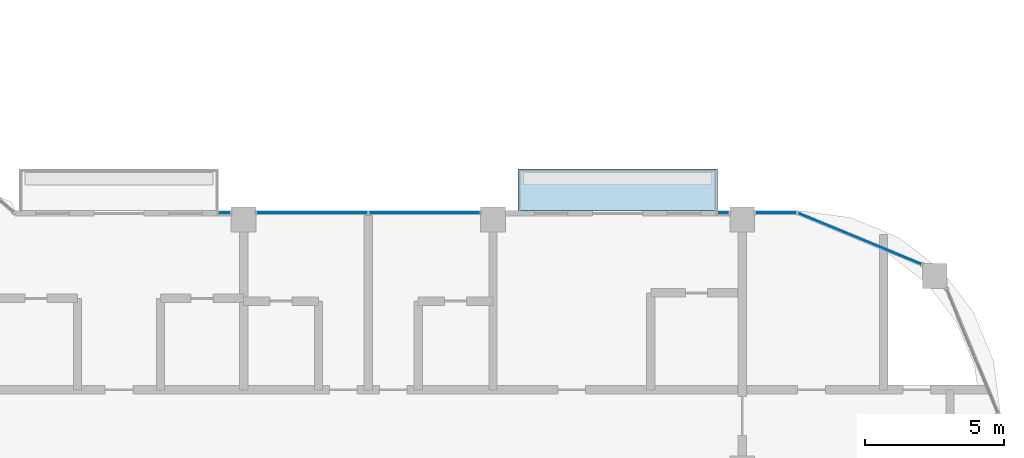
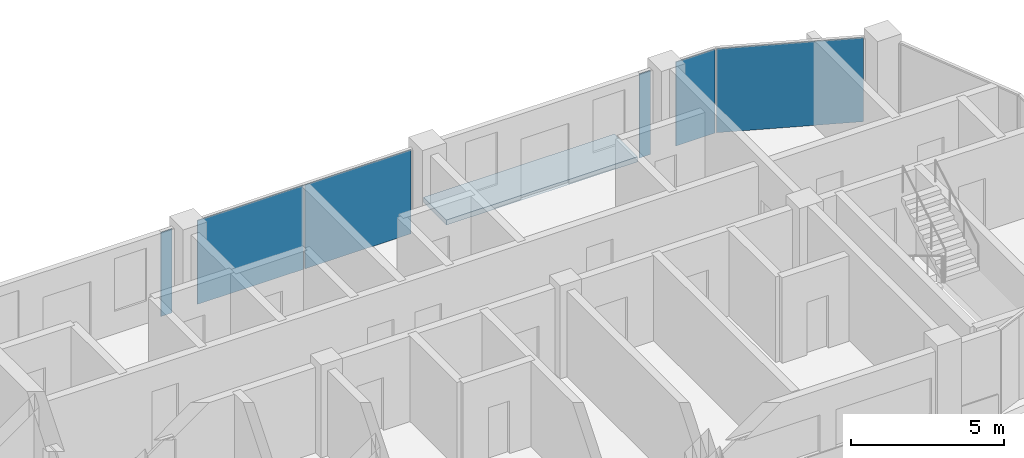
# One storey, part 8 of 19: 6 plates, 1 slab, 5 elements without a shape of their own.
"""IFC4 building model written with IfcOpenShell, lengths in metres."""

from ifc_helpers import new_model, si_unit, direction, frame, origin, origin_2d, place, context, subcontext, project, spatial, polyline, rectangle, outline, extrude, material, layer, layer_set, type_object, element, aggregate, save


model = new_model("IFC4")

# Units and contexts
model_context = context("Model", 3, precision=1e-05, world=origin(), true_north=direction((0.0, 1.0)))
body_context = subcontext(model_context, "Body", "Model", "MODEL_VIEW")
ifc_project = project(units=[si_unit("LENGTHUNIT", "METRE"), si_unit("AREAUNIT", "SQUARE_METRE"), si_unit("VOLUMEUNIT", "CUBIC_METRE"), si_unit("PLANEANGLEUNIT", "RADIAN"), si_unit("MASSUNIT", "GRAM", prefix="KILO")], contexts=[model_context])

# Site, building, storey
site_placement = place(None, origin())
site = spatial("IfcSite", under=ifc_project, at=site_placement, CompositionType="ELEMENT")
building_placement = place(site_placement, origin())
building = spatial("IfcBuilding", under=site, at=building_placement, Name="Ogive Portal Towers", CompositionType="ELEMENT")
storey_placement = place(building_placement, frame((0.0, 0.0, 218.0)))
storey = spatial("IfcBuildingStorey", under=building, at=storey_placement, Name="L54", CompositionType="ELEMENT", Elevation=218.0)

# Slab
ifc_material_1 = material(Name="Concrete C40/50", Category="concrete")
ifc_layer_1 = layer(ifc_material_1, 0.199951171875)
ifc_layer_set_1 = layer_set([ifc_layer_1], Name="BALCONY SLAB 200")
slab_type = type_object("IfcSlabType", Name="BALCONY SLAB 200", PredefinedType="FLOOR", material=ifc_layer_set_1)
slab_placement = place(storey_placement, frame((0.0, 0.0, -0.199951171875)))
element("IfcSlab", 1, at=slab_placement, inside=storey, type_object=slab_type, Name="Balcony T3", PredefinedType="FLOOR", context=body_context, shape_type="SweptSolid", body=[
    extrude(outline(polyline([(77.39990234375, 39.820068359375), (84.60009765625, 39.820068359375), (84.60009765625, 41.320068359375), (77.39990234375, 41.320068359375), (77.39990234375, 39.820068359375)])), origin(), (0.0, 0.0, 1.0), 0.199951171875),
])

# Curtain wall, plate
ifc_material_2 = material(Name="Glass, clear low-iron insulated glazing", Category="glass")
curtain_wall_type = type_object("IfcCurtainWallType", Name="CW FRONT RIBBON 4500", PredefinedType="NOTDEFINED", material=ifc_material_2)
curtain_wall_1_placement = place(storey_placement, origin())
curtain_wall_1 = element("IfcCurtainWall", 2, at=curtain_wall_1_placement, inside=storey, type_object=curtain_wall_type, Name="A:L54:f26:cw0~0", PredefinedType="NOTDEFINED")
ifc_layer_2 = layer(ifc_material_2, 0.028076171875)
ifc_layer_set_2 = layer_set([ifc_layer_2], Name="CW PANEL IGU 28")
plate_type = type_object("IfcPlateType", Name="CW PANEL IGU 28", PredefinedType="CURTAIN_PANEL", material=ifc_layer_set_2)
plate_1_placement = place(storey_placement, frame((86.717041015625, 39.739990234375, 0.0), z_axis=(0.0, 0.0, 1.0), x_axis=(-1.0, 0.0, 0.0)))
plate_1 = element("IfcPlate", 3, at=plate_1_placement, type_object=plate_type, Name="panel", PredefinedType="CURTAIN_PANEL", context=body_context, shape_type="SweptSolid", body=[
    extrude(rectangle(XDim=1.47412109375, YDim=0.028076171875, at=origin_2d()), origin(), (0.0, 0.0, 1.0), 3.340087890625),
])
aggregate(curtain_wall_1, [plate_1])

curtain_wall_2_placement = place(storey_placement, origin())
curtain_wall_2 = element("IfcCurtainWall", 4, at=curtain_wall_2_placement, inside=storey, type_object=curtain_wall_type, Name="A:L54:f26:cw0~1", PredefinedType="NOTDEFINED")
plate_2_placement = place(storey_placement, frame((84.81640625, 39.739990234375, 0.0), z_axis=(0.0, 0.0, 1.0), x_axis=(-1.0, 0.0, 0.0)))
plate_2 = element("IfcPlate", 5, at=plate_2_placement, type_object=plate_type, Name="panel", PredefinedType="CURTAIN_PANEL", context=body_context, shape_type="SweptSolid", body=[
    extrude(rectangle(XDim=0.407470703125, YDim=0.028076171875, at=origin_2d()), origin(), (0.0, 0.0, 1.0), 3.340087890625),
])
aggregate(curtain_wall_2, [plate_2])

# Curtain wall, plates
curtain_wall_3_placement = place(storey_placement, origin())
curtain_wall_3 = element("IfcCurtainWall", 6, at=curtain_wall_3_placement, inside=storey, type_object=curtain_wall_type, Name="A:L54:f26:cw1~0", PredefinedType="NOTDEFINED")
plate_3_placement = place(storey_placement, frame((74.02490234375, 39.739990234375, 0.0), z_axis=(0.0, 0.0, 1.0), x_axis=(-1.0, 0.0, 0.0)))
plate_3 = element("IfcPlate", 7, at=plate_3_placement, type_object=plate_type, Name="panel", PredefinedType="CURTAIN_PANEL", context=body_context, shape_type="SweptSolid", body=[
    extrude(rectangle(XDim=3.989990234375, YDim=0.028076171875, at=origin_2d()), origin(), (0.0, 0.0, 1.0), 3.340087890625),
])
plate_4_placement = place(storey_placement, frame((69.97509765625, 39.739990234375, 0.0), z_axis=(0.0, 0.0, 1.0), x_axis=(-1.0, 0.0, 0.0)))
plate_4 = element("IfcPlate", 8, at=plate_4_placement, type_object=plate_type, Name="panel", PredefinedType="CURTAIN_PANEL", context=body_context, shape_type="SweptSolid", body=[
    extrude(rectangle(XDim=3.989990234375, YDim=0.028076171875, at=origin_2d()), origin(), (0.0, 0.0, 1.0), 3.340087890625),
])
aggregate(curtain_wall_3, [plate_3, plate_4])

# Curtain wall, plate
curtain_wall_4_placement = place(storey_placement, origin())
curtain_wall_4 = element("IfcCurtainWall", 9, at=curtain_wall_4_placement, inside=storey, type_object=curtain_wall_type, Name="A:L54:f26:cw1~1", PredefinedType="NOTDEFINED")
plate_5_placement = place(storey_placement, frame((66.81201171875, 39.739990234375, 0.0), z_axis=(0.0, 0.0, 1.0), x_axis=(-1.0, 0.0, 0.0)))
plate_5 = element("IfcPlate", 10, at=plate_5_placement, type_object=plate_type, Name="panel", PredefinedType="CURTAIN_PANEL", context=body_context, shape_type="SweptSolid", body=[
    extrude(rectangle(XDim=0.416015625, YDim=0.028076171875, at=origin_2d()), origin(), (0.0, 0.0, 1.0), 3.340087890625),
])
aggregate(curtain_wall_4, [plate_5])

curtain_wall_5_placement = place(storey_placement, origin())
curtain_wall_5 = element("IfcCurtainWall", 11, at=curtain_wall_5_placement, inside=storey, type_object=curtain_wall_type, Name="A:L54:f24:cwa~1", PredefinedType="NOTDEFINED")
plate_6_placement = place(storey_placement, frame((89.741943359375, 38.8046875, 0.0), z_axis=(0.0, 0.0, 1.0), x_axis=(-0.923879532511, 0.382683432365, 0.0)))
plate_6 = element("IfcPlate", 12, at=plate_6_placement, type_object=plate_type, Name="panel", PredefinedType="CURTAIN_PANEL", context=body_context, shape_type="SweptSolid", body=[
    extrude(rectangle(XDim=4.827880859375, YDim=0.028076171875, at=origin_2d()), origin(), (0.0, 0.0, 1.0), 3.340087890625),
])
aggregate(curtain_wall_5, [plate_6])

save(model, "model.ifc")
